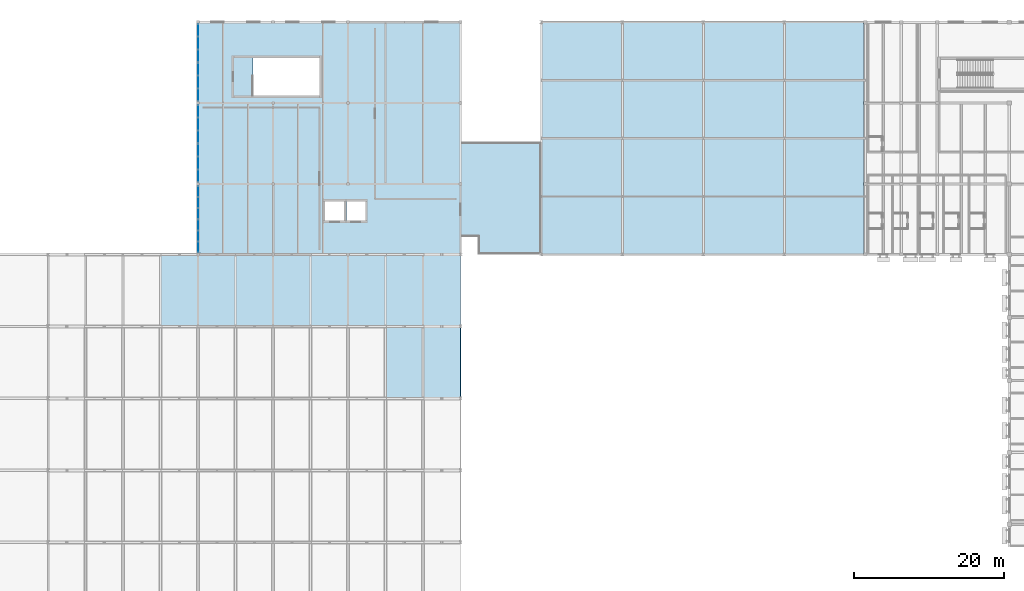
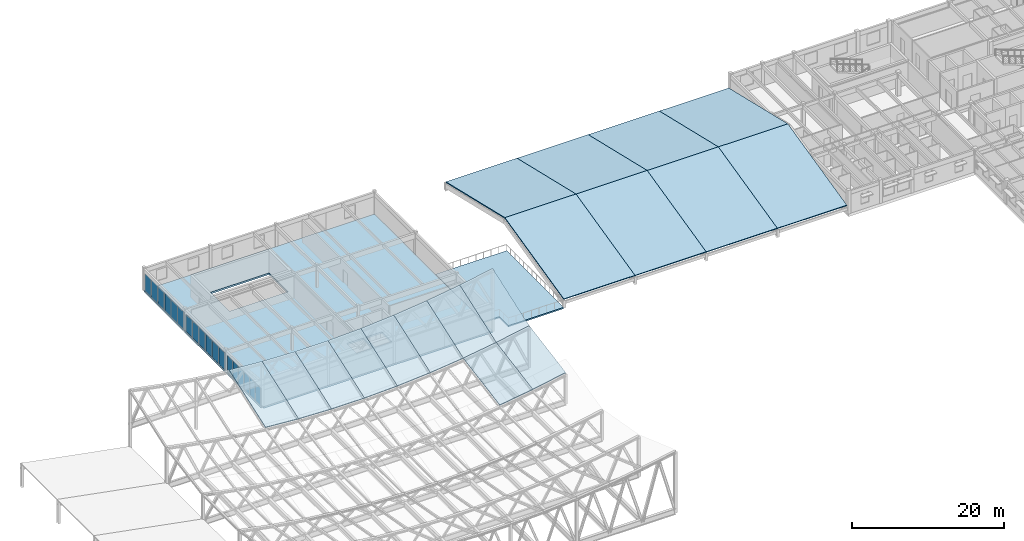
# One storey, part 21 of 40: 20 slabs, 18 plates, 8 elements without a shape of their own.
"""IFC4 building model written with IfcOpenShell, lengths in metres."""

from ifc_helpers import new_model, si_unit, direction, frame, origin, origin_2d, place, context, subcontext, project, spatial, polyline, rectangle, outline, extrude, material, layer, layer_set, type_object, element, aggregate, save


model = new_model("IFC4")

# Units and contexts
model_context = context("Model", 3, precision=1e-05, world=origin(), true_north=direction((0.0, 1.0)))
body_context = subcontext(model_context, "Body", "Model", "MODEL_VIEW")
ifc_project = project(units=[si_unit("LENGTHUNIT", "METRE"), si_unit("AREAUNIT", "SQUARE_METRE"), si_unit("VOLUMEUNIT", "CUBIC_METRE"), si_unit("PLANEANGLEUNIT", "RADIAN"), si_unit("MASSUNIT", "GRAM", prefix="KILO")], contexts=[model_context])

# Site, building, storey
site_placement = place(None, origin())
site = spatial("IfcSite", under=ifc_project, at=site_placement, CompositionType="ELEMENT")
building_placement = place(site_placement, origin())
building = spatial("IfcBuilding", under=site, at=building_placement, Name="Veldera Park Congress Hotel", CompositionType="ELEMENT")
storey_placement = place(building_placement, frame((0.0, 0.0, 16.199951171875)))
storey = spatial("IfcBuildingStorey", under=building, at=storey_placement, Name="L03", CompositionType="ELEMENT", Elevation=16.199951171875)

# Curtain wall, plates
ifc_material_1 = material(Name="Low-E Triple Insulating Glass Unit (SHGC 0.22)", Category="glass")
curtain_wall_type = type_object("IfcCurtainWallType", Name="CW-CON", PredefinedType="NOTDEFINED", material=ifc_material_1)
curtain_wall_1_placement = place(storey_placement, origin())
curtain_wall_1 = element("IfcCurtainWall", 1, at=curtain_wall_1_placement, inside=storey, type_object=curtain_wall_type, Name="L03 Curtain Wall CW3-NWW-L03-079", PredefinedType="NOTDEFINED")
ifc_layer_1 = layer(ifc_material_1, 0.028076171875)
ifc_layer_set_1 = layer_set([ifc_layer_1], Name="Low-E Triple Insulating Glass Unit (SHGC 0.22)")
plate_type = type_object("IfcPlateType", Name="CWP-IGU28", PredefinedType="CURTAIN_PANEL", material=ifc_layer_set_1)
plate_1_placement = place(storey_placement, frame((-47.39990234375, 56.887939453125, 0.0751953125), z_axis=(0.0, 0.0, 1.0), x_axis=(0.0, -1.0, 0.0)))
plate_1 = element("IfcPlate", 2, at=plate_1_placement, type_object=plate_type, Name="CW-CON panel 1.1", PredefinedType="CURTAIN_PANEL", context=body_context, shape_type="SweptSolid", body=[
    extrude(rectangle(XDim=1.604248046875, YDim=0.028076171875, at=origin_2d()), origin(), (0.0, 0.0, 1.0), 2.764892578125),
])
plate_2_placement = place(storey_placement, frame((-47.39990234375, 55.18994140625, 0.0751953125), z_axis=(0.0, 0.0, 1.0), x_axis=(0.0, -1.0, 0.0)))
plate_2 = element("IfcPlate", 3, at=plate_2_placement, type_object=plate_type, Name="CW-CON panel 2.1", PredefinedType="CURTAIN_PANEL", context=body_context, shape_type="SweptSolid", body=[
    extrude(rectangle(XDim=1.6416015625, YDim=0.028076171875, at=origin_2d()), origin(), (0.0, 0.0, 1.0), 2.764892578125),
])
plate_3_placement = place(storey_placement, frame((-47.39990234375, 53.4921875, 0.0751953125), z_axis=(0.0, 0.0, 1.0), x_axis=(0.0, -1.0, 0.0)))
plate_3 = element("IfcPlate", 4, at=plate_3_placement, type_object=plate_type, Name="CW-CON panel 3.1", PredefinedType="CURTAIN_PANEL", context=body_context, shape_type="SweptSolid", body=[
    extrude(rectangle(XDim=1.604248046875, YDim=0.028076171875, at=origin_2d()), origin(), (0.0, 0.0, 1.0), 2.764892578125),
])
aggregate(curtain_wall_1, [plate_1, plate_2, plate_3])

curtain_wall_2_placement = place(storey_placement, origin())
curtain_wall_2 = element("IfcCurtainWall", 5, at=curtain_wall_2_placement, inside=storey, type_object=curtain_wall_type, Name="L03 Curtain Wall CW3-NWW-L03-080", PredefinedType="NOTDEFINED")
plate_4_placement = place(storey_placement, frame((-47.39990234375, 51.7080078125, 0.0751953125), z_axis=(0.0, 0.0, 1.0), x_axis=(0.0, -1.0, 0.0)))
plate_4 = element("IfcPlate", 6, at=plate_4_placement, type_object=plate_type, Name="CW-CON panel 1.1", PredefinedType="CURTAIN_PANEL", context=body_context, shape_type="SweptSolid", body=[
    extrude(rectangle(XDim=1.604248046875, YDim=0.028076171875, at=origin_2d()), origin(), (0.0, 0.0, 1.0), 2.764892578125),
])
plate_5_placement = place(storey_placement, frame((-47.39990234375, 50.010009765625, 0.0751953125), z_axis=(0.0, 0.0, 1.0), x_axis=(0.0, -1.0, 0.0)))
plate_5 = element("IfcPlate", 7, at=plate_5_placement, type_object=plate_type, Name="CW-CON panel 2.1", PredefinedType="CURTAIN_PANEL", context=body_context, shape_type="SweptSolid", body=[
    extrude(rectangle(XDim=1.6416015625, YDim=0.028076171875, at=origin_2d()), origin(), (0.0, 0.0, 1.0), 2.764892578125),
])
plate_6_placement = place(storey_placement, frame((-47.39990234375, 48.31201171875, 0.0751953125), z_axis=(0.0, 0.0, 1.0), x_axis=(0.0, -1.0, 0.0)))
plate_6 = element("IfcPlate", 8, at=plate_6_placement, type_object=plate_type, Name="CW-CON panel 3.1", PredefinedType="CURTAIN_PANEL", context=body_context, shape_type="SweptSolid", body=[
    extrude(rectangle(XDim=1.604248046875, YDim=0.028076171875, at=origin_2d()), origin(), (0.0, 0.0, 1.0), 2.764892578125),
])
aggregate(curtain_wall_2, [plate_4, plate_5, plate_6])

curtain_wall_3_placement = place(storey_placement, origin())
curtain_wall_3 = element("IfcCurtainWall", 9, at=curtain_wall_3_placement, inside=storey, type_object=curtain_wall_type, Name="L03 Curtain Wall CW3-NWW-L03-081", PredefinedType="NOTDEFINED")
plate_7_placement = place(storey_placement, frame((-47.39990234375, 46.087890625, 0.0751953125), z_axis=(0.0, 0.0, 1.0), x_axis=(0.0, -1.0, 0.0)))
plate_7 = element("IfcPlate", 10, at=plate_7_placement, type_object=plate_type, Name="CW-CON panel 1.1", PredefinedType="CURTAIN_PANEL", context=body_context, shape_type="SweptSolid", body=[
    extrude(rectangle(XDim=1.604248046875, YDim=0.028076171875, at=origin_2d()), origin(), (0.0, 0.0, 1.0), 2.764892578125),
])
plate_8_placement = place(storey_placement, frame((-47.39990234375, 44.389892578125, 0.0751953125), z_axis=(0.0, 0.0, 1.0), x_axis=(0.0, -1.0, 0.0)))
plate_8 = element("IfcPlate", 11, at=plate_8_placement, type_object=plate_type, Name="CW-CON panel 2.1", PredefinedType="CURTAIN_PANEL", context=body_context, shape_type="SweptSolid", body=[
    extrude(rectangle(XDim=1.6416015625, YDim=0.028076171875, at=origin_2d()), origin(), (0.0, 0.0, 1.0), 2.764892578125),
])
plate_9_placement = place(storey_placement, frame((-47.39990234375, 42.692138671875, 0.0751953125), z_axis=(0.0, 0.0, 1.0), x_axis=(0.0, -1.0, 0.0)))
plate_9 = element("IfcPlate", 12, at=plate_9_placement, type_object=plate_type, Name="CW-CON panel 3.1", PredefinedType="CURTAIN_PANEL", context=body_context, shape_type="SweptSolid", body=[
    extrude(rectangle(XDim=1.604248046875, YDim=0.028076171875, at=origin_2d()), origin(), (0.0, 0.0, 1.0), 2.764892578125),
])
aggregate(curtain_wall_3, [plate_7, plate_8, plate_9])

curtain_wall_4_placement = place(storey_placement, origin())
curtain_wall_4 = element("IfcCurtainWall", 13, at=curtain_wall_4_placement, inside=storey, type_object=curtain_wall_type, Name="L03 Curtain Wall CW3-NWW-L03-082", PredefinedType="NOTDEFINED")
plate_10_placement = place(storey_placement, frame((-47.39990234375, 40.907958984375, 0.0751953125), z_axis=(0.0, 0.0, 1.0), x_axis=(0.0, -1.0, 0.0)))
plate_10 = element("IfcPlate", 14, at=plate_10_placement, type_object=plate_type, Name="CW-CON panel 1.1", PredefinedType="CURTAIN_PANEL", context=body_context, shape_type="SweptSolid", body=[
    extrude(rectangle(XDim=1.604248046875, YDim=0.028076171875, at=origin_2d()), origin(), (0.0, 0.0, 1.0), 2.764892578125),
])
plate_11_placement = place(storey_placement, frame((-47.39990234375, 39.2099609375, 0.0751953125), z_axis=(0.0, 0.0, 1.0), x_axis=(0.0, -1.0, 0.0)))
plate_11 = element("IfcPlate", 15, at=plate_11_placement, type_object=plate_type, Name="CW-CON panel 2.1", PredefinedType="CURTAIN_PANEL", context=body_context, shape_type="SweptSolid", body=[
    extrude(rectangle(XDim=1.6416015625, YDim=0.028076171875, at=origin_2d()), origin(), (0.0, 0.0, 1.0), 2.764892578125),
])
plate_12_placement = place(storey_placement, frame((-47.39990234375, 37.511962890625, 0.0751953125), z_axis=(0.0, 0.0, 1.0), x_axis=(0.0, -1.0, 0.0)))
plate_12 = element("IfcPlate", 16, at=plate_12_placement, type_object=plate_type, Name="CW-CON panel 3.1", PredefinedType="CURTAIN_PANEL", context=body_context, shape_type="SweptSolid", body=[
    extrude(rectangle(XDim=1.604248046875, YDim=0.028076171875, at=origin_2d()), origin(), (0.0, 0.0, 1.0), 2.764892578125),
])
aggregate(curtain_wall_4, [plate_10, plate_11, plate_12])

curtain_wall_5_placement = place(storey_placement, origin())
curtain_wall_5 = element("IfcCurtainWall", 17, at=curtain_wall_5_placement, inside=storey, type_object=curtain_wall_type, Name="L03 Curtain Wall CW3-NWW-L03-083", PredefinedType="NOTDEFINED")
plate_13_placement = place(storey_placement, frame((-47.39990234375, 35.4033203125, 0.0751953125), z_axis=(0.0, 0.0, 1.0), x_axis=(0.0, -1.0, 0.0)))
plate_13 = element("IfcPlate", 18, at=plate_13_placement, type_object=plate_type, Name="CW-CON panel 1.1", PredefinedType="CURTAIN_PANEL", context=body_context, shape_type="SweptSolid", body=[
    extrude(rectangle(XDim=1.373291015625, YDim=0.028076171875, at=origin_2d()), origin(), (0.0, 0.0, 1.0), 2.784912109375),
])
plate_14_placement = place(storey_placement, frame((-47.39990234375, 33.936279296875, 0.0751953125), z_axis=(0.0, 0.0, 1.0), x_axis=(0.0, -1.0, 0.0)))
plate_14 = element("IfcPlate", 19, at=plate_14_placement, type_object=plate_type, Name="CW-CON panel 2.1", PredefinedType="CURTAIN_PANEL", context=body_context, shape_type="SweptSolid", body=[
    extrude(rectangle(XDim=1.410888671875, YDim=0.028076171875, at=origin_2d()), origin(), (0.0, 0.0, 1.0), 2.784912109375),
])
plate_15_placement = place(storey_placement, frame((-47.39990234375, 32.46923828125, 0.0751953125), z_axis=(0.0, 0.0, 1.0), x_axis=(0.0, -1.0, 0.0)))
plate_15 = element("IfcPlate", 20, at=plate_15_placement, type_object=plate_type, Name="CW-CON panel 3.1", PredefinedType="CURTAIN_PANEL", context=body_context, shape_type="SweptSolid", body=[
    extrude(rectangle(XDim=1.373291015625, YDim=0.028076171875, at=origin_2d()), origin(), (0.0, 0.0, 1.0), 2.784912109375),
])
aggregate(curtain_wall_5, [plate_13, plate_14, plate_15])

curtain_wall_6_placement = place(storey_placement, origin())
curtain_wall_6 = element("IfcCurtainWall", 21, at=curtain_wall_6_placement, inside=storey, type_object=curtain_wall_type, Name="L03 Curtain Wall CW3-NWW-L03-084", PredefinedType="NOTDEFINED")
plate_16_placement = place(storey_placement, frame((-47.39990234375, 30.915771484375, 0.0751953125), z_axis=(0.0, 0.0, 1.0), x_axis=(0.0, -1.0, 0.0)))
plate_16 = element("IfcPlate", 22, at=plate_16_placement, type_object=plate_type, Name="CW-CON panel 1.1", PredefinedType="CURTAIN_PANEL", context=body_context, shape_type="SweptSolid", body=[
    extrude(rectangle(XDim=1.373291015625, YDim=0.028076171875, at=origin_2d()), origin(), (0.0, 0.0, 1.0), 2.784912109375),
])
plate_17_placement = place(storey_placement, frame((-47.39990234375, 29.44873046875, 0.0751953125), z_axis=(0.0, 0.0, 1.0), x_axis=(0.0, -1.0, 0.0)))
plate_17 = element("IfcPlate", 23, at=plate_17_placement, type_object=plate_type, Name="CW-CON panel 2.1", PredefinedType="CURTAIN_PANEL", context=body_context, shape_type="SweptSolid", body=[
    extrude(rectangle(XDim=1.410888671875, YDim=0.028076171875, at=origin_2d()), origin(), (0.0, 0.0, 1.0), 2.784912109375),
])
plate_18_placement = place(storey_placement, frame((-47.39990234375, 27.981689453125, 0.0751953125), z_axis=(0.0, 0.0, 1.0), x_axis=(0.0, -1.0, 0.0)))
plate_18 = element("IfcPlate", 24, at=plate_18_placement, type_object=plate_type, Name="CW-CON panel 3.1", PredefinedType="CURTAIN_PANEL", context=body_context, shape_type="SweptSolid", body=[
    extrude(rectangle(XDim=1.373291015625, YDim=0.028076171875, at=origin_2d()), origin(), (0.0, 0.0, 1.0), 2.784912109375),
])
aggregate(curtain_wall_6, [plate_16, plate_17, plate_18])

# Roof, slabs
ifc_material_2 = material(Name="Cross-laminated timber CLT V2M1.1", Category="wood")
roof_type_1 = type_object("IfcRoofType", Name="ROOF-GAB", PredefinedType="GABLE_ROOF", material=ifc_material_2)
roof_1_placement = place(storey_placement, origin())
roof_1 = element("IfcRoof", 25, at=roof_1_placement, inside=storey, type_object=roof_type_1, Name="Grand Ballroom Sagging-Ridge Roof", PredefinedType="GABLE_ROOF")
ifc_layer_2 = layer(ifc_material_2, 0.159912109375)
ifc_layer_set_2 = layer_set([ifc_layer_2], Name="Cross-laminated timber CLT V2M1.1")
slab_type_1 = type_object("IfcSlabType", Name="RF-DECK160", PredefinedType="ROOF", material=ifc_layer_set_2)
slab_1_placement = place(storey_placement, frame((-1.60009765625, 27.0, 1.35009765625), z_axis=(0.0, -0.229208531629, 0.973377341543), x_axis=(1.0, 0.0, 0.0)))
slab_1 = element("IfcSlab", 26, at=slab_1_placement, type_object=slab_type_1, Name="Ballroom Sloped Roof South 1", PredefinedType="ROOF", context=body_context, shape_type="SweptSolid", body=[
    extrude(outline(polyline([(0.0, 0.0), (10.800048828125, 0.0), (10.800048828125, 15.92393755070999), (0.0, 15.92393755070999), (0.0, 0.0)])), origin(), (0.0, 0.0, -1.0), 0.159912109375),
])
slab_2_placement = place(storey_placement, frame((-1.60009765625, 42.5, 5.0), z_axis=(0.0, 0.229208531629, 0.973377341543), x_axis=(1.0, 0.0, 0.0)))
slab_2 = element("IfcSlab", 27, at=slab_2_placement, type_object=slab_type_1, Name="Ballroom Sloped Roof North 1", PredefinedType="ROOF", context=body_context, shape_type="SweptSolid", body=[
    extrude(outline(polyline([(0.0, 0.0), (10.800048828125, 0.0), (10.800048828125, 15.92393755070999), (0.0, 15.92393755070999), (0.0, 0.0)])), origin(), (0.0, 0.0, -1.0), 0.159912109375),
])
slab_3_placement = place(storey_placement, frame((9.199951171875, 27.0, 1.35009765625), z_axis=(0.0, -0.229208531629, 0.973377341543), x_axis=(1.0, 0.0, 0.0)))
slab_3 = element("IfcSlab", 28, at=slab_3_placement, type_object=slab_type_1, Name="Ballroom Sloped Roof South 2", PredefinedType="ROOF", context=body_context, shape_type="SweptSolid", body=[
    extrude(outline(polyline([(0.0, 0.0), (10.800048828125, 0.0), (10.800048828125, 15.92393755070999), (0.0, 15.92393755070999), (0.0, 0.0)])), origin(), (0.0, 0.0, -1.0), 0.159912109375),
])
slab_4_placement = place(storey_placement, frame((9.199951171875, 42.5, 5.0), z_axis=(0.0, 0.229208531629, 0.973377341543), x_axis=(1.0, 0.0, 0.0)))
slab_4 = element("IfcSlab", 29, at=slab_4_placement, type_object=slab_type_1, Name="Ballroom Sloped Roof North 2", PredefinedType="ROOF", context=body_context, shape_type="SweptSolid", body=[
    extrude(outline(polyline([(0.0, 0.0), (10.800048828125, 0.0), (10.800048828125, 15.92393755070999), (0.0, 15.92393755070999), (0.0, 0.0)])), origin(), (0.0, 0.0, -1.0), 0.159912109375),
])
slab_5_placement = place(storey_placement, frame((20.0, 27.0, 1.35009765625), z_axis=(0.0, -0.229208531629, 0.973377341543), x_axis=(1.0, 0.0, 0.0)))
slab_5 = element("IfcSlab", 30, at=slab_5_placement, type_object=slab_type_1, Name="Ballroom Sloped Roof South 3", PredefinedType="ROOF", context=body_context, shape_type="SweptSolid", body=[
    extrude(outline(polyline([(0.0, 0.0), (10.800048828125, 0.0), (10.800048828125, 15.92393755070999), (0.0, 15.92393755070999), (0.0, 0.0)])), origin(), (0.0, 0.0, -1.0), 0.159912109375),
])
slab_6_placement = place(storey_placement, frame((20.0, 42.5, 5.0), z_axis=(0.0, 0.229208531629, 0.973377341543), x_axis=(1.0, 0.0, 0.0)))
slab_6 = element("IfcSlab", 31, at=slab_6_placement, type_object=slab_type_1, Name="Ballroom Sloped Roof North 3", PredefinedType="ROOF", context=body_context, shape_type="SweptSolid", body=[
    extrude(outline(polyline([(0.0, 0.0), (10.800048828125, 0.0), (10.800048828125, 15.92393755070999), (0.0, 15.92393755070999), (0.0, 0.0)])), origin(), (0.0, 0.0, -1.0), 0.159912109375),
])
slab_7_placement = place(storey_placement, frame((30.800048828125, 27.0, 1.35009765625), z_axis=(0.0, -0.229208531629, 0.973377341543), x_axis=(1.0, 0.0, 0.0)))
slab_7 = element("IfcSlab", 32, at=slab_7_placement, type_object=slab_type_1, Name="Ballroom Sloped Roof South 4", PredefinedType="ROOF", context=body_context, shape_type="SweptSolid", body=[
    extrude(outline(polyline([(0.0, 0.0), (10.550048828125, 0.0), (10.550048828125, 15.92393755070999), (0.0, 15.92393755070999), (0.0, 0.0)])), origin(), (0.0, 0.0, -1.0), 0.159912109375),
])
slab_8_placement = place(storey_placement, frame((30.800048828125, 42.5, 5.0), z_axis=(0.0, 0.229208531629, 0.973377341543), x_axis=(1.0, 0.0, 0.0)))
slab_8 = element("IfcSlab", 33, at=slab_8_placement, type_object=slab_type_1, Name="Ballroom Sloped Roof North 4", PredefinedType="ROOF", context=body_context, shape_type="SweptSolid", body=[
    extrude(outline(polyline([(0.0, 0.0), (10.550048828125, 0.0), (10.550048828125, 15.92393755070999), (0.0, 15.92393755070999), (0.0, 0.0)])), origin(), (0.0, 0.0, -1.0), 0.159912109375),
])
aggregate(roof_1, [slab_1, slab_2, slab_3, slab_4, slab_5, slab_6, slab_7, slab_8])

roof_type_2 = type_object("IfcRoofType", Name="ROOF-PAV", PredefinedType="PAVILION_ROOF", material=ifc_material_2)
roof_2_placement = place(storey_placement, origin())
roof_2 = element("IfcRoof", 34, at=roof_2_placement, inside=storey, type_object=roof_type_2, Name="Plenary Congress Pavilion Sweeping Space Frame Roof", PredefinedType="PAVILION_ROOF")
ifc_layer_3 = layer(ifc_material_2, 0.179931640625)
ifc_layer_set_3 = layer_set([ifc_layer_3], Name="Cross-laminated timber CLT V2M1.1")
slab_type_2 = type_object("IfcSlabType", Name="RF-DECK180", PredefinedType="ROOF", material=ifc_layer_set_3)
slab_9_placement = place(storey_placement, frame((-52.39990234375, 17.39990234375, 4.385498046875), z_axis=(0.070299961404, -0.331872173468, 0.940701215001), x_axis=(0.997219446817, 7.600708e-06, -0.074520969083)))
slab_9 = element("IfcSlab", 35, at=slab_9_placement, type_object=slab_type_2, Name="Plenary Sweeping Roof Deck Panel 4-5", PredefinedType="ROOF", context=body_context, shape_type="SweptSolid", body=[
    extrude(outline(polyline([(0.0, 0.0), (5.013933435913205, 0.0), (4.761624840189032, 10.176840337770644), (-0.2523267893201403, 10.17692113609085), (0.0, 0.0)])), origin(), (0.0, 0.0, -1.0), 0.179931640625),
])
slab_10_placement = place(storey_placement, frame((-47.39990234375, 17.39990234375, 4.011962890625), z_axis=(0.034859100949, -0.332493095917, 0.942461237531), x_axis=(0.999316571036, -7.645201e-06, -0.036964723661)))
slab_10 = element("IfcSlab", 36, at=slab_10_placement, type_object=slab_type_2, Name="Plenary Sweeping Roof Deck Panel 5-5", PredefinedType="ROOF", context=body_context, shape_type="SweptSolid", body=[
    extrude(outline(polyline([(0.0, 0.0), (5.00342349495673, 6.938893903907228e-18), (4.8781519529778095, 10.179277953742206), (-0.1252625173881836, 10.179196834212421), (0.0, 0.0)])), origin(), (0.0, 0.0, -1.0), 0.179931640625),
])
slab_11_placement = place(storey_placement, frame((-42.39990234375, 17.39990234375, 3.826904296875), z_axis=(-0.000690696088, -0.332705880355, 0.943030391936), x_axis=(0.999999731779, 0.0, 0.000732421679)))
slab_11 = element("IfcSlab", 37, at=slab_11_placement, type_object=slab_type_2, Name="Plenary Sweeping Roof Deck Panel 6-5", PredefinedType="ROOF", context=body_context, shape_type="SweptSolid", body=[
    extrude(outline(polyline([(0.0, 0.0), (5.000001341104328, 0.0), (5.002482026149863, 10.18004845166315), (0.0024806850455354923, 10.180048451663149), (0.0, 0.0)])), origin(), (0.0, 0.0, -1.0), 0.179931640625),
])
slab_12_placement = place(storey_placement, frame((-37.39990234375, 17.39990234375, 3.83056640625), z_axis=(-0.036306669944, -0.332486605185, 0.942408872565), x_axis=(0.999258722193, 0.0, 0.038496832608)))
slab_12 = element("IfcSlab", 38, at=slab_12_placement, type_object=slab_type_2, Name="Plenary Sweeping Roof Deck Panel 7-5", PredefinedType="ROOF", context=body_context, shape_type="SweptSolid", body=[
    extrude(outline(polyline([(0.0, 0.0), (5.003709138536155, 0.0), (5.134096481985819, 10.179213710924618), (0.1303873434496641, 10.179213710924618), (0.0, 0.0)])), origin(), (0.0, 0.0, -1.0), 0.179931640625),
])
slab_13_placement = place(storey_placement, frame((-32.39990234375, 17.39990234375, 4.023193359375), z_axis=(-0.071716623131, -0.331838621371, 0.940606110619), x_axis=(0.997105749734, 7.59828e-06, 0.076027125352)))
slab_13 = element("IfcSlab", 39, at=slab_13_placement, type_object=slab_type_2, Name="Plenary Sweeping Roof Deck Panel 8-5", PredefinedType="ROOF", context=body_context, shape_type="SweptSolid", body=[
    extrude(outline(polyline([(0.0, 0.0), (5.014521514735351, 0.0), (5.272076949900781, 10.176708902477824), (0.25757399647533163, 10.176789683154688), (0.0, 0.0)])), origin(), (0.0, 0.0, -1.0), 0.179931640625),
])
slab_14_placement = place(storey_placement, frame((-27.39990234375, 17.39990234375, 4.404541015625), z_axis=(-0.106880044761, -0.330789591445, 0.937632605141), x_axis=(0.993566157495, -7.523544e-06, 0.113253214632)))
slab_14 = element("IfcSlab", 40, at=slab_14_placement, type_object=slab_type_2, Name="Plenary Sweeping Roof Deck Panel 9-5", PredefinedType="ROOF", context=body_context, shape_type="SweptSolid", body=[
    extrude(outline(polyline([(0.0, 0.0), (5.0323652120224365, -2.7755575615628914e-17), (5.415877420471718, 10.172822175034693), (0.383484558738678, 10.172741935252605), (0.0, 0.0)])), origin(), (0.0, 0.0, -1.0), 0.179931640625),
])
slab_15_placement = place(storey_placement, frame((-22.39990234375, 7.800048828125, 3.281005859375), z_axis=(-0.147808974173, -0.171804397331, 0.973979340752), x_axis=(0.988679941563, 0.0, 0.150039905194)))
slab_15 = element("IfcSlab", 41, at=slab_15_placement, type_object=slab_type_2, Name="Plenary Sweeping Roof Deck Panel 10-4", PredefinedType="ROOF", context=body_context, shape_type="SweptSolid", body=[
    extrude(outline(polyline([(0.0, 0.0), (5.05724834681565, 0.0), (5.311319826900446, 9.744747363444862), (0.25407148008479524, 9.744747363444862), (0.0, 0.0)])), origin(), (0.0, 0.0, -1.0), 0.179931640625),
])
slab_16_placement = place(storey_placement, frame((-22.39990234375, 17.39990234375, 4.974365234375), z_axis=(-0.141668848427, -0.329350322695, 0.933519310098), x_axis=(0.988679941563, 0.0, 0.150039905194)))
slab_16 = element("IfcSlab", 42, at=slab_16_placement, type_object=slab_type_2, Name="Plenary Sweeping Roof Deck Panel 10-5", PredefinedType="ROOF", context=body_context, shape_type="SweptSolid", body=[
    extrude(outline(polyline([(0.0, 0.0), (5.05724834681565, 0.0), (5.56542793782147, 10.167356890327632), (0.5081795910058196, 10.167356890327634), (0.0, 0.0)])), origin(), (0.0, 0.0, -1.0), 0.179931640625),
])
slab_17_placement = place(storey_placement, frame((-17.39990234375, 7.800048828125, 4.039794921875), z_axis=(-0.183453584697, -0.170764284275, 0.968082817469), x_axis=(0.982514072984, 0.0, 0.186188335803)))
slab_17 = element("IfcSlab", 43, at=slab_17_placement, type_object=slab_type_2, Name="Plenary Sweeping Roof Deck Panel 11-4", PredefinedType="ROOF", context=body_context, shape_type="SweptSolid", body=[
    extrude(outline(polyline([(0.0, 0.0), (5.088985631337029, 0.0), (5.404269395285013, 9.742958977772043), (0.3152837639479841, 9.742958977772043), (0.0, 0.0)])), origin(), (0.0, 0.0, -1.0), 0.179931640625),
])
slab_18_placement = place(storey_placement, frame((-17.39990234375, 17.39990234375, 5.733154296875), z_axis=(-0.175919153143, -0.327517283116, 0.928323693987), x_axis=(0.982514072984, 0.0, 0.186188335803)))
slab_18 = element("IfcSlab", 44, at=slab_18_placement, type_object=slab_type_2, Name="Plenary Sweeping Roof Deck Panel 11-5", PredefinedType="ROOF", context=body_context, shape_type="SweptSolid", body=[
    extrude(outline(polyline([(0.0, 0.0), (5.088985631337029, 0.0), (5.7195986153696685, 10.160498014190892), (0.6306129840326389, 10.160498014190892), (0.0, 0.0)])), origin(), (0.0, 0.0, -1.0), 0.179931640625),
])
aggregate(roof_2, [slab_9, slab_10, slab_11, slab_12, slab_13, slab_14, slab_15, slab_16, slab_17, slab_18])

# Slabs
ifc_material_3 = material(Name="Concrete f'c 40 MPa (5,800 psi)", Category="concrete")
ifc_layer_4 = layer(ifc_material_3, 0.280029296875)
ifc_layer_set_4 = layer_set([ifc_layer_4], Name="Concrete f'c 40 MPa (5,800 psi)")
slab_type_3 = type_object("IfcSlabType", Name="SLB-RC280", PredefinedType="FLOOR", material=ifc_layer_set_4)
slab_19_placement = place(storey_placement, frame((0.0, 0.0, -0.280029296875)))
element("IfcSlab", 45, at=slab_19_placement, inside=storey, type_object=slab_type_3, Name="L03 Podium Conservatory Floor SLB-L03-NW", PredefinedType="FLOOR", context=body_context, shape_type="SweptSolid", body=[
    extrude(outline(polyline([(-47.39990234375, 27.260009765625), (-47.139892578125, 27.260009765625), (-47.139892578125, 27.0), (-12.39990234375, 27.0), (-12.39990234375, 58.0), (-47.39990234375, 58.0), (-47.39990234375, 27.260009765625)]), holes=[polyline([(-40.0849609375, 48.199951171875), (-31.199951171875, 48.199951171875), (-31.199951171875, 53.199951171875), (-40.0849609375, 53.199951171875), (-40.0849609375, 48.199951171875)]), polyline([(-30.449951171875, 31.5), (-27.949951171875, 31.5), (-27.949951171875, 34.10009765625), (-30.449951171875, 34.10009765625), (-30.449951171875, 31.5)]), polyline([(-27.60009765625, 31.5), (-25.10009765625, 31.5), (-25.10009765625, 34.10009765625), (-27.60009765625, 34.10009765625), (-27.60009765625, 31.5)])]), origin(), (0.0, 0.0, 1.0), 0.280029296875),
])
ifc_layer_5 = layer(ifc_material_3, 0.2099609375)
ifc_layer_set_5 = layer_set([ifc_layer_5], Name="Concrete f'c 40 MPa (5,800 psi)")
slab_type_4 = type_object("IfcSlabType", Name="SLB-TER210", PredefinedType="FLOOR", material=ifc_layer_set_5)
slab_20_placement = place(storey_placement, frame((0.0, 0.0, -0.2099609375)))
element("IfcSlab", 46, at=slab_20_placement, inside=storey, type_object=slab_type_4, Name="L03 Podium Botanical Terrace SLB-L03-TER-POD", PredefinedType="FLOOR", context=body_context, shape_type="SweptSolid", body=[
    extrude(outline(polyline([(-12.39990234375, 29.39990234375), (-10.0, 29.39990234375), (-10.0, 27.0), (-1.60009765625, 27.0), (-1.60009765625, 42.0), (-12.39990234375, 42.0), (-12.39990234375, 29.39990234375)])), origin(), (0.0, 0.0, 1.0), 0.2099609375),
])

save(model, "model.ifc")
